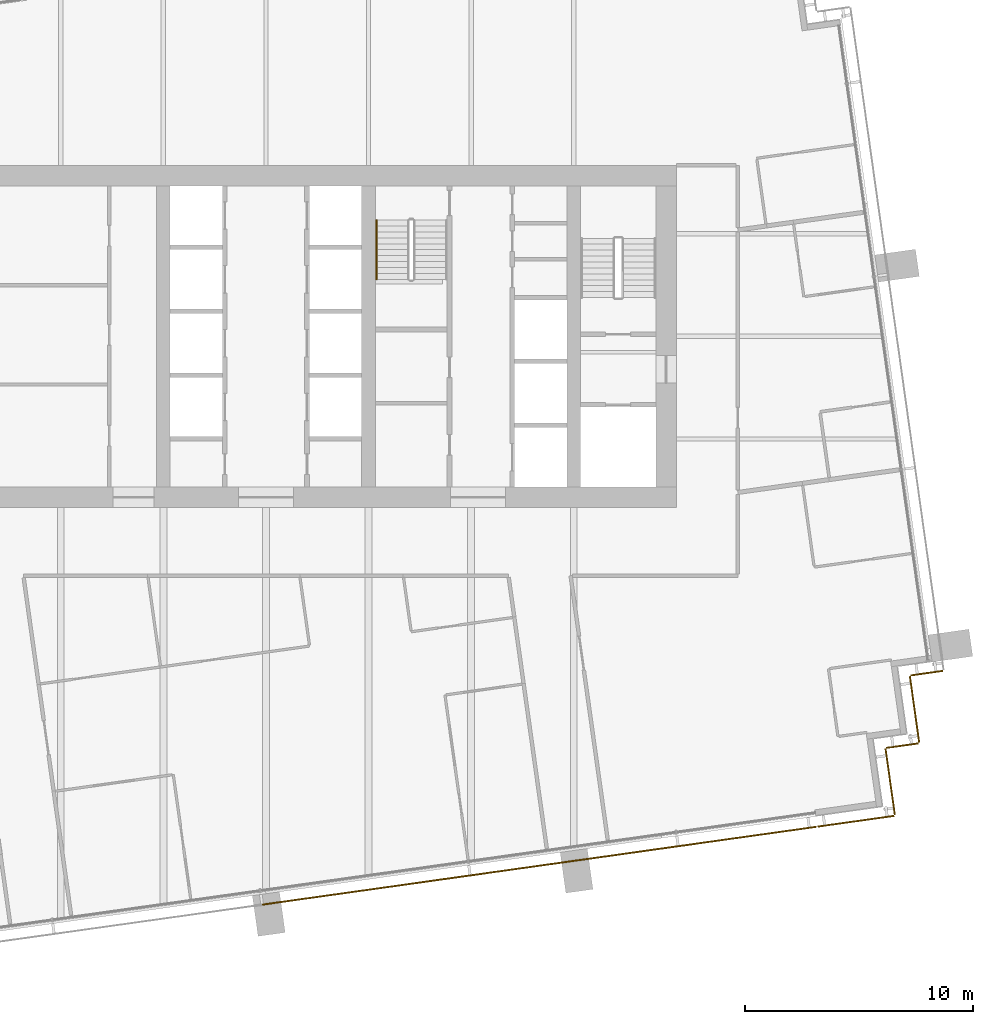
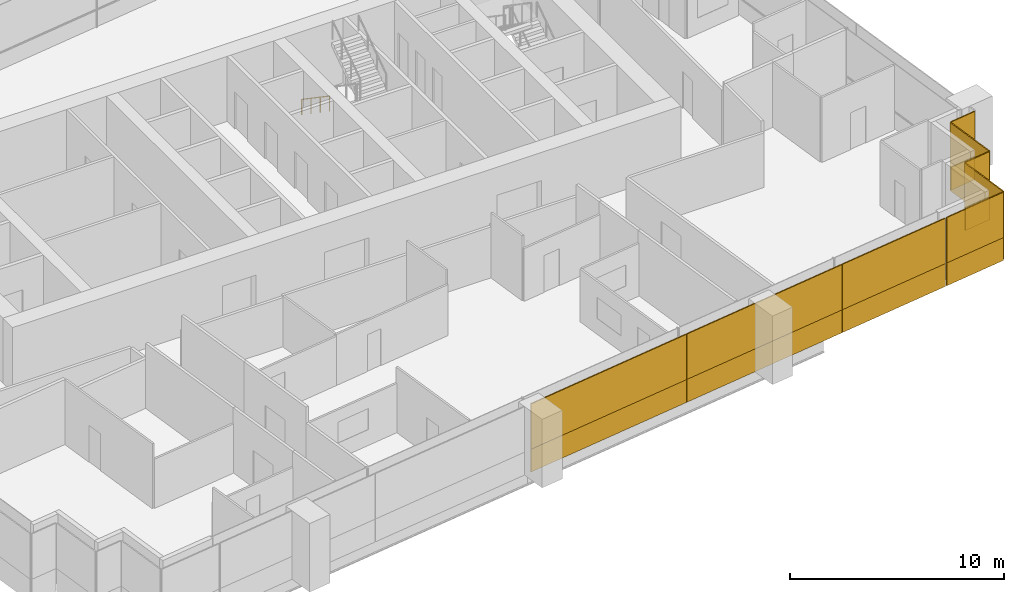
# One storey, part 15 of 18: 16 coverings, 1 railing.
"""IFC4 building model written with IfcOpenShell, lengths in metres."""

import ifcopenshell
import ifcopenshell.guid

model = None  # the IFC model being written
_history = None  # IfcOwnerHistory: only IFC2X3 demands one
_inside = {}  # id of a spatial element -> (the spatial element, [elements in it])
_under = {}  # id of a project, library or spatial element -> (it, [spatial elements below it])
_declared = {}  # id of a project -> (the project, [libraries it declares])
_typed = {}  # id of a type object -> (the type object, [elements of that type])
_made_of = {}  # id of a material, layer set ... -> (it, [elements and type objects made of it])


def new_model(schema):
    """Start an empty IFC model of exactly this schema.

    Asked for "IFC4X3", IfcOpenShell would pick the latest addendum, in which some entities
    have other attributes; the version numbers below select the first issue.
    IFC2X3 requires an IfcOwnerHistory on every rooted entity: one is made here for all.
    """
    global model, _history
    if schema == "IFC4X3":
        model = ifcopenshell.file(schema_version=(4, 3, 0, 0))
    else:
        model = ifcopenshell.file(schema=schema)
    _inside.clear()
    _under.clear()
    _declared.clear()
    _typed.clear()
    _made_of.clear()
    _history = None
    if model.schema == "IFC2X3":
        org = make("IfcOrganization", Name="unknown")
        user = make(
            "IfcPersonAndOrganization",
            ThePerson=make("IfcPerson", FamilyName="unknown"),
            TheOrganization=org,
        )
        app = make(
            "IfcApplication",
            ApplicationDeveloper=org,
            Version="unknown",
            ApplicationFullName="unknown",
            ApplicationIdentifier="unknown",
        )
        _history = make(
            "IfcOwnerHistory",
            OwningUser=user,
            OwningApplication=app,
            ChangeAction="ADDED",
            CreationDate=0,
        )
    return model


def make(cls, **values):
    """One entity of the class cls with the attributes given. An attribute that is None is left unset."""
    return model.create_entity(
        cls, **{name: value for name, value in values.items() if value is not None}
    )


def rooted(cls, **values):
    """An entity with a GlobalId (a new one), such as an element, a storey or a relation."""
    return make(cls, GlobalId=ifcopenshell.guid.new(), OwnerHistory=_history, **values)


def si_unit(unit_type, name, prefix=None):
    """IfcSIUnit, for example si_unit("LENGTHUNIT", "METRE", prefix="MILLI")."""
    return make("IfcSIUnit", UnitType=unit_type, Prefix=prefix, Name=name)


def assignment(units):
    """IfcUnitAssignment: the units of a project."""
    return None if units is None else make("IfcUnitAssignment", Units=units)


def point(xyz):
    """IfcCartesianPoint."""
    return None if xyz is None else make("IfcCartesianPoint", Coordinates=xyz)


def direction(xyz):
    """IfcDirection."""
    return None if xyz is None else make("IfcDirection", DirectionRatios=xyz)


def frame(location, z_axis=None, x_axis=None):
    """IfcAxis2Placement3D, a coordinate frame: its origin and axes. An axis left out is left unset."""
    return make(
        "IfcAxis2Placement3D",
        Location=point(location),
        Axis=direction(z_axis),
        RefDirection=direction(x_axis),
    )


def frame_2d(location, x_axis=None):
    """IfcAxis2Placement2D, a coordinate frame in the plane: its origin and x axis."""
    return make(
        "IfcAxis2Placement2D", Location=point(location), RefDirection=direction(x_axis)
    )


def origin():
    """The frame at (0, 0, 0) with its axes left unset."""
    return frame((0.0, 0.0, 0.0))


def origin_2d():
    """The frame at (0, 0) in the plane with its x axis left unset."""
    return frame_2d((0.0, 0.0))


def place(relative_to, where):
    """IfcLocalPlacement: puts the frame where relative to a parent placement (None: the world)."""
    return make(
        "IfcLocalPlacement", PlacementRelTo=relative_to, RelativePlacement=where
    )


def context(
    kind, dimensions, precision=None, world=None, true_north=None, identifier=None
):
    """IfcGeometricRepresentationContext, for example the 3D "Model" context."""
    return make(
        "IfcGeometricRepresentationContext",
        ContextIdentifier=identifier,
        ContextType=kind,
        CoordinateSpaceDimension=dimensions,
        Precision=precision,
        WorldCoordinateSystem=world,
        TrueNorth=true_north,
    )


def subcontext(parent, identifier, kind, view, scale=None):
    """IfcGeometricRepresentationSubContext, for example "Body" below "Model"."""
    return make(
        "IfcGeometricRepresentationSubContext",
        ContextIdentifier=identifier,
        ContextType=kind,
        ParentContext=parent,
        TargetScale=scale,
        TargetView=view,
    )


def project(units=None, contexts=None):
    """IfcProject with its units and contexts."""
    return rooted(
        "IfcProject",
        Name="project",
        RepresentationContexts=contexts,
        UnitsInContext=assignment(units),
    )


def spatial(cls, under=None, at=None, **own):
    """A site, building, storey or space (cls), placed at a placement, below another one or the project."""
    s = rooted(cls, ObjectPlacement=at, **own)
    if under is not None:
        _under.setdefault(under.id(), (under, []))[1].append(s)
    return s


def profile(cls, at=None, kind="AREA", **sizes):
    """A parametric profile (cls). Its sizes go by their IFC names, for example OverallWidth=200.0."""
    return make(cls, ProfileType=kind, Position=at, **sizes)


def rectangle(**sizes):
    """IfcRectangleProfileDef."""
    return profile("IfcRectangleProfileDef", **sizes)


def extrude(swept, where, along, depth):
    """IfcExtrudedAreaSolid: the profile swept, set in the frame where, extruded along a direction by depth."""
    return make(
        "IfcExtrudedAreaSolid",
        SweptArea=swept,
        Position=where,
        ExtrudedDirection=direction(along),
        Depth=depth,
    )


def shape(context_of_items, identifier, shape_type, items):
    """IfcShapeRepresentation: the items that make up one representation, for example the "Body"."""
    return make(
        "IfcShapeRepresentation",
        ContextOfItems=context_of_items,
        RepresentationIdentifier=identifier,
        RepresentationType=shape_type,
        Items=items,
    )


def material(Name=None, Category=None):
    """IfcMaterial."""
    return make("IfcMaterial", Name=Name, Category=Category)


def layer(
    of_material, thickness, ventilated=None, Name=None, Category=None, Priority=None
):
    """IfcMaterialLayer: one layer of a wall or slab, of a material (None: an air gap)."""
    return make(
        "IfcMaterialLayer",
        Material=of_material,
        LayerThickness=thickness,
        IsVentilated=ventilated,
        Name=Name,
        Category=Category,
        Priority=Priority,
    )


def layer_set(layers, Name=None):
    """IfcMaterialLayerSet."""
    return make("IfcMaterialLayerSet", MaterialLayers=layers, LayerSetName=Name)


def made_of(thing, what):
    """Note that an element or type object is made of a material, layer set ...; save() writes the relation."""
    if what is not None:
        _made_of.setdefault(what.id(), (what, []))[1].append(thing)
    return thing


def type_object(cls, material=None, **own):
    """A type object (cls), such as IfcWallType, which elements share."""
    return made_of(rooted(cls, **own), material)


def element(
    cls,
    number,
    at=None,
    inside=None,
    cuts=None,
    type_object=None,
    material=None,
    context=None,
    identifier="Body",
    shape_type=None,
    held_by="IfcProductDefinitionShape",
    body=None,
    shapes=None,
    **own,
):
    """One element of the class cls, such as IfcWall. Its Tag is "e" and its number.

    at: its placement. inside: the storey or other place that contains it. cuts: it is an
    opening in that element (IfcRelVoidsElement). A single representation is given by context,
    identifier, shape_type and body (its items); several are given by shapes. held_by: the class
    of the entity that holds the representations. save() writes the other relations.
    """
    e = rooted(cls, Tag="e%d" % number, ObjectPlacement=at, **own)
    if body is not None:
        shapes = [shape(context, identifier, shape_type, body)]
    if shapes is not None:
        e.Representation = make(held_by, Representations=shapes)
    if inside is not None:
        _inside.setdefault(inside.id(), (inside, []))[1].append(e)
    if cuts is not None:
        rooted(
            "IfcRelVoidsElement", RelatingBuildingElement=cuts, RelatedOpeningElement=e
        )
    if type_object is not None:
        _typed.setdefault(type_object.id(), (type_object, []))[1].append(e)
    return made_of(e, material)


def aggregate(whole, parts):
    """IfcRelAggregates: a whole, such as a stair, and the parts it consists of."""
    return rooted("IfcRelAggregates", RelatingObject=whole, RelatedObjects=parts)


def save(model, path):
    """Write the relations noted so far, then the file.

    IfcRelAggregates (storeys below a building ...), IfcRelContainedInSpatialStructure (elements
    in a storey), IfcRelDefinesByType, IfcRelAssociatesMaterial and IfcRelDeclares: one each for
    every whole, place, type object, material and project.
    """
    for whole, parts in _under.values():
        aggregate(whole, parts)
    for where, things in _inside.values():
        rooted(
            "IfcRelContainedInSpatialStructure",
            RelatedElements=things,
            RelatingStructure=where,
        )
    for kind, things in _typed.values():
        rooted("IfcRelDefinesByType", RelatedObjects=things, RelatingType=kind)
    for what, things in _made_of.values():
        rooted("IfcRelAssociatesMaterial", RelatedObjects=things, RelatingMaterial=what)
    for by, libraries in _declared.values():
        rooted("IfcRelDeclares", RelatingContext=by, RelatedDefinitions=libraries)
    model.write(path)


model = new_model("IFC4")

# Units and contexts
model_context = context("Model", 3, precision=1e-05, world=origin(), true_north=direction((0.0, 1.0)))
body_context = subcontext(model_context, "Body", "Model", "MODEL_VIEW")
ifc_project = project(units=[si_unit("LENGTHUNIT", "METRE"), si_unit("AREAUNIT", "SQUARE_METRE"), si_unit("VOLUMEUNIT", "CUBIC_METRE"), si_unit("PLANEANGLEUNIT", "RADIAN"), si_unit("MASSUNIT", "GRAM", prefix="KILO")], contexts=[model_context])

# Site, building, storey
site_placement = place(None, origin())
site = spatial("IfcSite", under=ifc_project, at=site_placement, CompositionType="ELEMENT")
building_placement = place(site_placement, origin())
building = spatial("IfcBuilding", under=site, at=building_placement, Name="Rattan Terrace Tower", CompositionType="ELEMENT")
storey_placement = place(building_placement, frame((0.0, 0.0, 188.0)))
storey = spatial("IfcBuildingStorey", under=building, at=storey_placement, Name="L43", CompositionType="ELEMENT", Elevation=188.0)

# Railing
ifc_material_1 = material(Name="Powder-coated steel handrail", Category="steel")
railing_type = type_object("IfcRailingType", Name="Core stair handrail", PredefinedType="HANDRAIL", material=ifc_material_1)
railing_placement = place(storey_placement, frame((4.85009765625, 5.10009765625, 0.17724609375)))
element("IfcRailing", 1, at=railing_placement, inside=storey, type_object=railing_type, Name="L43 S3 stair handrail 1", PredefinedType="HANDRAIL", context=body_context, shape_type="SweptSolid", body=[
    extrude(rectangle(XDim=0.048095703125, YDim=0.048095703125, at=origin_2d()), frame((0.0, 0.0, 0.8759765625), z_axis=(0.0, -0.826240473404, 0.563317565952), x_axis=(1.0, 0.0, 0.0)), (0.0, 0.0, 1.0), 3.14697265625),
    extrude(rectangle(XDim=0.0419921875, YDim=0.0419921875, at=origin_2d()), origin(), (0.0, 0.0, 1.0), 0.851806640625),
    extrude(rectangle(XDim=0.0419921875, YDim=0.0419921875, at=origin_2d()), frame((0.0, -0.86669921875, 0.5908203125)), (0.0, 0.0, 1.0), 0.851806640625),
    extrude(rectangle(XDim=0.0419921875, YDim=0.0419921875, at=origin_2d()), frame((0.0, -1.7333984375, 1.181884765625)), (0.0, 0.0, 1.0), 0.851806640625),
    extrude(rectangle(XDim=0.0419921875, YDim=0.0419921875, at=origin_2d()), frame((0.0, -2.60009765625, 1.772705078125)), (0.0, 0.0, 1.0), 0.851806640625),
])

# Coverings
ifc_material_2 = material(Name="Solid terracotta", Category="masonry")
ifc_layer_1 = layer(ifc_material_2, 0.06005859375)
ifc_layer_set_1 = layer_set([ifc_layer_1], Name="Facade Terracotta Band Panel")
covering_type_1 = type_object("IfcCoveringType", Name="Facade Terracotta Band Panel", PredefinedType="CLADDING", material=ifc_layer_set_1)
covering_1_placement = place(storey_placement, frame((25.8798828125, -21.266357421875, -0.18994140625), z_axis=(0.0, 0.0, 1.0), x_axis=(0.990247240581, 0.139321220646, 0.0)))
element("IfcCovering", 2, at=covering_1_placement, inside=storey, type_object=covering_type_1, Name="OUTER SKIN panel L43-1A", PredefinedType="CLADDING", context=body_context, shape_type="SweptSolid", body=[
    extrude(rectangle(XDim=3.370361328125, YDim=0.06005859375, at=origin_2d()), origin(), (0.0, 0.0, 1.0), 1.300048828125),
])
covering_2_placement = place(storey_placement, frame((27.37939453125, -19.54052734375, -0.18994140625), z_axis=(0.0, 0.0, 1.0), x_axis=(-0.139321220646, 0.990247240581, 0.0)))
element("IfcCovering", 3, at=covering_2_placement, inside=storey, type_object=covering_type_1, Name="OUTER SKIN panel L43-2A", PredefinedType="CLADDING", context=body_context, shape_type="SweptSolid", body=[
    extrude(rectangle(XDim=2.919921875, YDim=0.06005859375, at=origin_2d()), origin(), (0.0, 0.0, 1.0), 1.300048828125),
])
covering_3_placement = place(storey_placement, frame((27.913330078125, -17.951171875, -0.18994140625), z_axis=(0.0, 0.0, 1.0), x_axis=(0.990345406709, 0.138621698915, 0.0)))
element("IfcCovering", 4, at=covering_3_placement, inside=storey, type_object=covering_type_1, Name="OUTER SKIN panel L43-3A", PredefinedType="CLADDING", context=body_context, shape_type="SweptSolid", body=[
    extrude(rectangle(XDim=1.42041015625, YDim=0.06005859375, at=origin_2d()), origin(), (0.0, 0.0, 1.0), 1.300048828125),
])
covering_4_placement = place(storey_placement, frame((28.447265625, -16.361572265625, -0.18994140625), z_axis=(0.0, 0.0, 1.0), x_axis=(-0.139321220646, 0.990247240581, 0.0)))
element("IfcCovering", 5, at=covering_4_placement, inside=storey, type_object=covering_type_1, Name="OUTER SKIN panel L43-4A", PredefinedType="CLADDING", context=body_context, shape_type="SweptSolid", body=[
    extrude(rectangle(XDim=2.920654296875, YDim=0.06005859375, at=origin_2d()), origin(), (0.0, 0.0, 1.0), 1.300048828125),
])
covering_5_placement = place(storey_placement, frame((28.981201171875, -14.771484375, -0.18994140625), z_axis=(0.0, 0.0, 1.0), x_axis=(0.99025370695, 0.139275252184, 0.0)))
element("IfcCovering", 6, at=covering_5_placement, inside=storey, type_object=covering_type_1, Name="OUTER SKIN panel L43-5A", PredefinedType="CLADDING", context=body_context, shape_type="SweptSolid", body=[
    extrude(rectangle(XDim=1.420654296875, YDim=0.06005859375, at=origin_2d()), origin(), (0.0, 0.0, 1.0), 1.300048828125),
])
for number, where, z_axis, x_axis, name in (
    (7, (4.39794921875, -24.285400390625, -0.18994140625), (0.0, 0.0, 1.0), (0.990269702686, 0.139161474347, 0.0), "OUTER SKIN panel L43-36A"),
    (8, (13.521484375, -23.003173828125, -0.18994140625), (0.0, 0.0, 1.0), (0.990269702686, 0.139161474347, 0.0), "OUTER SKIN panel L43-37A"),
):
    element("IfcCovering", number, at=place(storey_placement, frame(where, z_axis=z_axis, x_axis=x_axis)), inside=storey, type_object=covering_type_1, Name=name, PredefinedType="CLADDING", context=body_context, shape_type="SweptSolid", body=[
        extrude(rectangle(XDim=9.193115234375, YDim=0.06005859375, at=origin_2d()), origin(), (0.0, 0.0, 1.0), 1.300048828125),
    ])
covering_6_placement = place(storey_placement, frame((21.112548828125, -21.9365234375, -0.18994140625), z_axis=(0.0, 0.0, 1.0), x_axis=(0.990269702686, 0.139161474347, 0.0)))
element("IfcCovering", 9, at=covering_6_placement, inside=storey, type_object=covering_type_1, Name="OUTER SKIN panel L43-38A", PredefinedType="CLADDING", context=body_context, shape_type="SweptSolid", body=[
    extrude(rectangle(XDim=6.098388671875, YDim=0.06005859375, at=origin_2d()), origin(), (0.0, 0.0, 1.0), 1.300048828125),
])
ifc_material_3 = material(Name="Perforated terracotta", Category="masonry")
ifc_layer_2 = layer(ifc_material_3, 0.06005859375)
ifc_layer_set_2 = layer_set([ifc_layer_2], Name="Facade Terracotta Screen Panel")
covering_type_2 = type_object("IfcCoveringType", Name="Facade Terracotta Screen Panel", PredefinedType="CLADDING", material=ifc_layer_set_2)
covering_7_placement = place(storey_placement, frame((25.8798828125, -21.266357421875, 1.10986328125), z_axis=(0.0, 0.0, 1.0), x_axis=(0.990247240581, 0.139321220646, 0.0)))
element("IfcCovering", 10, at=covering_7_placement, inside=storey, type_object=covering_type_2, Name="OUTER SKIN panel L43-1B", PredefinedType="CLADDING", context=body_context, shape_type="SweptSolid", body=[
    extrude(rectangle(XDim=3.370361328125, YDim=0.06005859375, at=origin_2d()), origin(), (0.0, 0.0, 1.0), 2.580078125),
])
covering_8_placement = place(storey_placement, frame((27.37939453125, -19.54052734375, 1.10986328125), z_axis=(0.0, 0.0, 1.0), x_axis=(-0.139321220646, 0.990247240581, 0.0)))
element("IfcCovering", 11, at=covering_8_placement, inside=storey, type_object=covering_type_2, Name="OUTER SKIN panel L43-2B", PredefinedType="CLADDING", context=body_context, shape_type="SweptSolid", body=[
    extrude(rectangle(XDim=2.919921875, YDim=0.06005859375, at=origin_2d()), origin(), (0.0, 0.0, 1.0), 2.580078125),
])
covering_9_placement = place(storey_placement, frame((27.913330078125, -17.951171875, 1.10986328125), z_axis=(0.0, 0.0, 1.0), x_axis=(0.990345406709, 0.138621698915, 0.0)))
element("IfcCovering", 12, at=covering_9_placement, inside=storey, type_object=covering_type_2, Name="OUTER SKIN panel L43-3B", PredefinedType="CLADDING", context=body_context, shape_type="SweptSolid", body=[
    extrude(rectangle(XDim=1.42041015625, YDim=0.06005859375, at=origin_2d()), origin(), (0.0, 0.0, 1.0), 2.580078125),
])
covering_10_placement = place(storey_placement, frame((28.447265625, -16.361572265625, 1.10986328125), z_axis=(0.0, 0.0, 1.0), x_axis=(-0.139321220646, 0.990247240581, 0.0)))
element("IfcCovering", 13, at=covering_10_placement, inside=storey, type_object=covering_type_2, Name="OUTER SKIN panel L43-4B", PredefinedType="CLADDING", context=body_context, shape_type="SweptSolid", body=[
    extrude(rectangle(XDim=2.920654296875, YDim=0.06005859375, at=origin_2d()), origin(), (0.0, 0.0, 1.0), 2.580078125),
])
covering_11_placement = place(storey_placement, frame((28.981201171875, -14.771484375, 1.10986328125), z_axis=(0.0, 0.0, 1.0), x_axis=(0.99025370695, 0.139275252184, 0.0)))
element("IfcCovering", 14, at=covering_11_placement, inside=storey, type_object=covering_type_2, Name="OUTER SKIN panel L43-5B", PredefinedType="CLADDING", context=body_context, shape_type="SweptSolid", body=[
    extrude(rectangle(XDim=1.420654296875, YDim=0.06005859375, at=origin_2d()), origin(), (0.0, 0.0, 1.0), 2.580078125),
])
for number, where, z_axis, x_axis, name in (
    (15, (4.39794921875, -24.285400390625, 1.10986328125), (0.0, 0.0, 1.0), (0.990269702686, 0.139161474347, 0.0), "OUTER SKIN panel L43-36B"),
    (16, (13.521484375, -23.003173828125, 1.10986328125), (0.0, 0.0, 1.0), (0.990269702686, 0.139161474347, 0.0), "OUTER SKIN panel L43-37B"),
):
    element("IfcCovering", number, at=place(storey_placement, frame(where, z_axis=z_axis, x_axis=x_axis)), inside=storey, type_object=covering_type_2, Name=name, PredefinedType="CLADDING", context=body_context, shape_type="SweptSolid", body=[
        extrude(rectangle(XDim=9.193115234375, YDim=0.06005859375, at=origin_2d()), origin(), (0.0, 0.0, 1.0), 2.580078125),
    ])
covering_12_placement = place(storey_placement, frame((21.112548828125, -21.9365234375, 1.10986328125), z_axis=(0.0, 0.0, 1.0), x_axis=(0.990269702686, 0.139161474347, 0.0)))
element("IfcCovering", 17, at=covering_12_placement, inside=storey, type_object=covering_type_2, Name="OUTER SKIN panel L43-38B", PredefinedType="CLADDING", context=body_context, shape_type="SweptSolid", body=[
    extrude(rectangle(XDim=6.098388671875, YDim=0.06005859375, at=origin_2d()), origin(), (0.0, 0.0, 1.0), 2.580078125),
])

save(model, "model.ifc")
